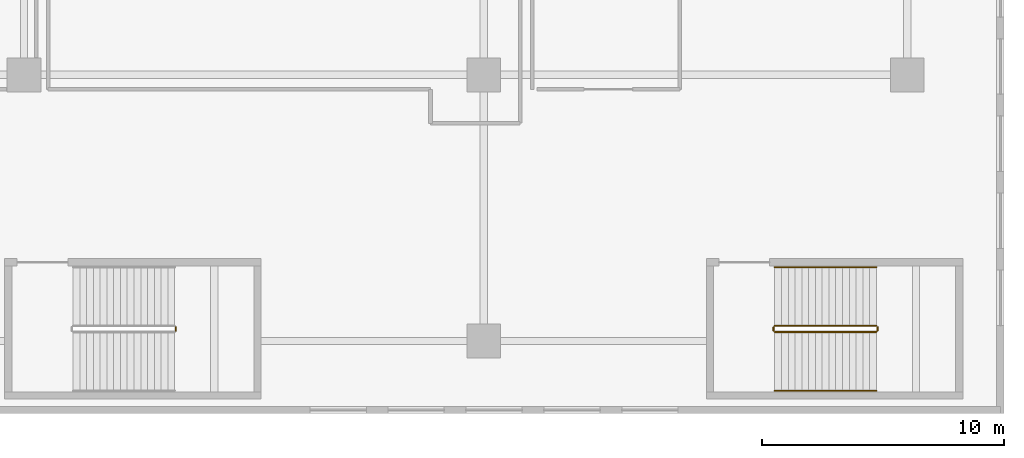
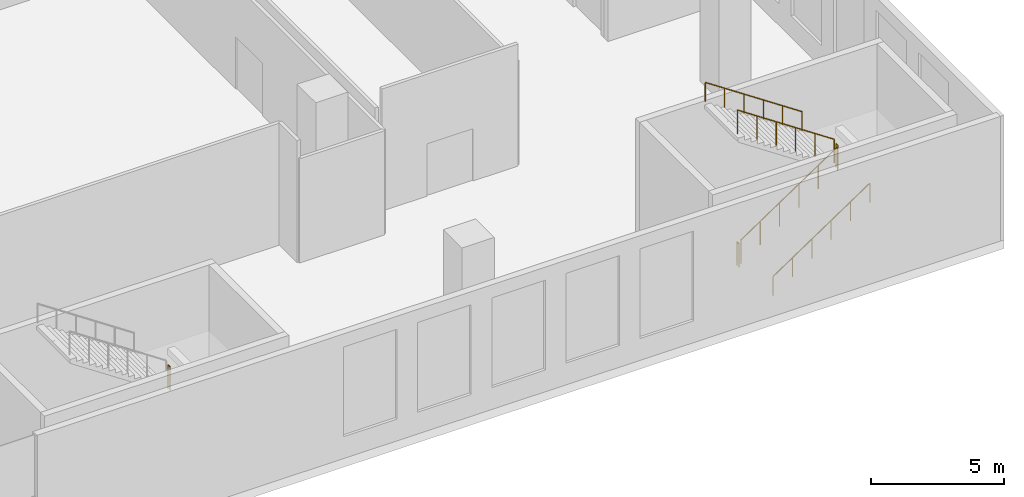
# One storey, part 21 of 25: 7 railings.
"""IFC4 building model written with IfcOpenShell, lengths in metres."""

from ifc_helpers import new_model, si_unit, direction, frame, origin, origin_2d, place, context, subcontext, project, spatial, circle, extrude, material, type_object, element, save


model = new_model("IFC4")

# Units and contexts
model_context = context("Model", 3, precision=1e-05, world=origin(), true_north=direction((0.0, 1.0)))
body_context = subcontext(model_context, "Body", "Model", "MODEL_VIEW")
ifc_project = project(units=[si_unit("LENGTHUNIT", "METRE"), si_unit("AREAUNIT", "SQUARE_METRE"), si_unit("VOLUMEUNIT", "CUBIC_METRE"), si_unit("PLANEANGLEUNIT", "RADIAN"), si_unit("MASSUNIT", "GRAM", prefix="KILO")], contexts=[model_context])

# Site, building, storey
site_placement = place(None, origin())
site = spatial("IfcSite", under=ifc_project, at=site_placement, CompositionType="ELEMENT")
building_placement = place(site_placement, origin())
building = spatial("IfcBuilding", under=site, at=building_placement, Name="Tel Ilan Convention Tower", CompositionType="ELEMENT")
storey_placement = place(building_placement, frame((0.0, 0.0, 26.0)))
storey = spatial("IfcBuildingStorey", under=building, at=storey_placement, Name="L03", CompositionType="ELEMENT", Elevation=26.0)

# Railings
ifc_material_1 = material(Name="Stainless Steel Grade 316", Category="steel")
railing_type_1 = type_object("IfcRailingType", Name="Stainless Steel Stair Guard 1100 mm", PredefinedType="GUARDRAIL", material=ifc_material_1)
railing_1_placement = place(storey_placement, frame((15.77490234375, -78.574951171875, 3.0)))
element("IfcRailing", 1, at=railing_1_placement, inside=storey, type_object=railing_type_1, Name="L03 P3 stair guard 2", PredefinedType="GUARDRAIL", context=body_context, shape_type="SweptSolid", body=[
    extrude(circle(Radius=0.02392578125, at=origin_2d()), frame((0.0, 0.0, 1.076171875), z_axis=(0.0, 1.0, 0.0), x_axis=(-1.0, 0.0, 0.0)), (0.0, 0.0, 1.0), 0.14990234375),
    extrude(circle(Radius=0.02099609375, at=origin_2d()), origin(), (0.0, 0.0, 1.0), 1.052001953125),
    extrude(circle(Radius=0.02099609375, at=origin_2d()), frame((0.0, 0.14990234375, 0.0)), (0.0, 0.0, 1.0), 1.052001953125),
])
railing_2_placement = place(storey_placement, frame((40.52490234375, -78.625, 0.1875)))
element("IfcRailing", 2, at=railing_2_placement, inside=storey, type_object=railing_type_1, Name="L03 P4 stair guard 1", PredefinedType="GUARDRAIL", context=body_context, shape_type="SweptSolid", body=[
    extrude(circle(Radius=0.02392578125, at=origin_2d()), frame((0.0, 0.0, 1.076171875), z_axis=(0.830919138977, 0.0, 0.55639319234), x_axis=(0.0, 1.0, 0.0)), (0.0, 0.0, 1.0), 5.054931640625),
    extrude(circle(Radius=0.02099609375, at=origin_2d()), origin(), (0.0, 0.0, 1.0), 1.052001953125),
    extrude(circle(Radius=0.02099609375, at=origin_2d()), frame((0.840087890625, 0.0, 0.5625)), (0.0, 0.0, 1.0), 1.052001953125),
    extrude(circle(Radius=0.02099609375, at=origin_2d()), frame((1.68017578125, 0.0, 1.125)), (0.0, 0.0, 1.0), 1.052001953125),
    extrude(circle(Radius=0.02099609375, at=origin_2d()), frame((2.52001953125, 0.0, 1.6875)), (0.0, 0.0, 1.0), 1.052001953125),
    extrude(circle(Radius=0.02099609375, at=origin_2d()), frame((3.360107421875, 0.0, 2.25)), (0.0, 0.0, 1.0), 1.052001953125),
    extrude(circle(Radius=0.02099609375, at=origin_2d()), frame((4.2001953125, 0.0, 2.8125)), (0.0, 0.0, 1.0), 1.052001953125),
])
railing_3_placement = place(storey_placement, frame((44.77490234375, -78.574951171875, 3.0)))
element("IfcRailing", 3, at=railing_3_placement, inside=storey, type_object=railing_type_1, Name="L03 P4 stair guard 2", PredefinedType="GUARDRAIL", context=body_context, shape_type="SweptSolid", body=[
    extrude(circle(Radius=0.02392578125, at=origin_2d()), frame((0.0, 0.0, 1.076171875), z_axis=(0.0, 1.0, 0.0), x_axis=(-1.0, 0.0, 0.0)), (0.0, 0.0, 1.0), 0.14990234375),
    extrude(circle(Radius=0.02099609375, at=origin_2d()), origin(), (0.0, 0.0, 1.0), 1.052001953125),
    extrude(circle(Radius=0.02099609375, at=origin_2d()), frame((0.0, 0.14990234375, 0.0)), (0.0, 0.0, 1.0), 1.052001953125),
])
railing_4_placement = place(storey_placement, frame((44.72509765625, -78.375, 3.1875)))
element("IfcRailing", 4, at=railing_4_placement, inside=storey, type_object=railing_type_1, Name="L03 P4 stair guard 3", PredefinedType="GUARDRAIL", context=body_context, shape_type="SweptSolid", body=[
    extrude(circle(Radius=0.02392578125, at=origin_2d()), frame((0.0, 0.0, 1.076171875), z_axis=(-0.830919138977, 0.0, 0.55639319234), x_axis=(0.0, -1.0, 0.0)), (0.0, 0.0, 1.0), 5.054931640625),
    extrude(circle(Radius=0.02099609375, at=origin_2d()), origin(), (0.0, 0.0, 1.0), 1.052001953125),
    extrude(circle(Radius=0.02099609375, at=origin_2d()), frame((-0.840087890625, 0.0, 0.5625)), (0.0, 0.0, 1.0), 1.052001953125),
    extrude(circle(Radius=0.02099609375, at=origin_2d()), frame((-1.68017578125, 0.0, 1.125)), (0.0, 0.0, 1.0), 1.052001953125),
    extrude(circle(Radius=0.02099609375, at=origin_2d()), frame((-2.52001953125, 0.0, 1.6875)), (0.0, 0.0, 1.0), 1.052001953125),
    extrude(circle(Radius=0.02099609375, at=origin_2d()), frame((-3.360107421875, 0.0, 2.25)), (0.0, 0.0, 1.0), 1.052001953125),
    extrude(circle(Radius=0.02099609375, at=origin_2d()), frame((-4.2001953125, 0.0, 2.8125)), (0.0, 0.0, 1.0), 1.052001953125),
])
railing_5_placement = place(storey_placement, frame((40.47509765625, -78.574951171875, 0.0)))
element("IfcRailing", 5, at=railing_5_placement, inside=storey, type_object=railing_type_1, Name="L03 P4 stair guard 4", PredefinedType="GUARDRAIL", context=body_context, shape_type="SweptSolid", body=[
    extrude(circle(Radius=0.02392578125, at=origin_2d()), frame((0.0, 0.0, 1.076171875), z_axis=(0.0, 1.0, 0.0), x_axis=(-1.0, 0.0, 0.0)), (0.0, 0.0, 1.0), 0.14990234375),
    extrude(circle(Radius=0.02099609375, at=origin_2d()), origin(), (0.0, 0.0, 1.0), 1.052001953125),
    extrude(circle(Radius=0.02099609375, at=origin_2d()), frame((0.0, 0.14990234375, 0.0)), (0.0, 0.0, 1.0), 1.052001953125),
])
ifc_material_2 = material(Name="Stainless Steel Grade 316", Category="steel")
railing_type_2 = type_object("IfcRailingType", Name="Stainless Steel Stair Handrail 900 mm", PredefinedType="HANDRAIL", material=ifc_material_2)
railing_6_placement = place(storey_placement, frame((40.52490234375, -81.050048828125, 0.1875)))
element("IfcRailing", 6, at=railing_6_placement, inside=storey, type_object=railing_type_2, Name="L03 P4 stair handrail 1", PredefinedType="HANDRAIL", context=body_context, shape_type="SweptSolid", body=[
    extrude(circle(Radius=0.02392578125, at=origin_2d()), frame((0.0, 0.0, 0.8759765625), z_axis=(0.830919138977, 0.0, 0.55639319234), x_axis=(0.0, 1.0, 0.0)), (0.0, 0.0, 1.0), 5.054931640625),
    extrude(circle(Radius=0.02099609375, at=origin_2d()), origin(), (0.0, 0.0, 1.0), 0.851806640625),
    extrude(circle(Radius=0.02099609375, at=origin_2d()), frame((0.840087890625, 0.0, 0.5625)), (0.0, 0.0, 1.0), 0.851806640625),
    extrude(circle(Radius=0.02099609375, at=origin_2d()), frame((1.68017578125, 0.0, 1.125)), (0.0, 0.0, 1.0), 0.851806640625),
    extrude(circle(Radius=0.02099609375, at=origin_2d()), frame((2.52001953125, 0.0, 1.6875)), (0.0, 0.0, 1.0), 0.851806640625),
    extrude(circle(Radius=0.02099609375, at=origin_2d()), frame((3.360107421875, 0.0, 2.25)), (0.0, 0.0, 1.0), 0.851806640625),
    extrude(circle(Radius=0.02099609375, at=origin_2d()), frame((4.2001953125, 0.0, 2.8125)), (0.0, 0.0, 1.0), 0.851806640625),
])
railing_7_placement = place(storey_placement, frame((44.72509765625, -75.949951171875, 3.1875)))
element("IfcRailing", 7, at=railing_7_placement, inside=storey, type_object=railing_type_2, Name="L03 P4 stair handrail 2", PredefinedType="HANDRAIL", context=body_context, shape_type="SweptSolid", body=[
    extrude(circle(Radius=0.02392578125, at=origin_2d()), frame((0.0, 0.0, 0.8759765625), z_axis=(-0.830919138977, 0.0, 0.55639319234), x_axis=(0.0, -1.0, 0.0)), (0.0, 0.0, 1.0), 5.054931640625),
    extrude(circle(Radius=0.02099609375, at=origin_2d()), origin(), (0.0, 0.0, 1.0), 0.851806640625),
    extrude(circle(Radius=0.02099609375, at=origin_2d()), frame((-0.840087890625, 0.0, 0.5625)), (0.0, 0.0, 1.0), 0.851806640625),
    extrude(circle(Radius=0.02099609375, at=origin_2d()), frame((-1.68017578125, 0.0, 1.125)), (0.0, 0.0, 1.0), 0.851806640625),
    extrude(circle(Radius=0.02099609375, at=origin_2d()), frame((-2.52001953125, 0.0, 1.6875)), (0.0, 0.0, 1.0), 0.851806640625),
    extrude(circle(Radius=0.02099609375, at=origin_2d()), frame((-3.360107421875, 0.0, 2.25)), (0.0, 0.0, 1.0), 0.851806640625),
    extrude(circle(Radius=0.02099609375, at=origin_2d()), frame((-4.2001953125, 0.0, 2.8125)), (0.0, 0.0, 1.0), 0.851806640625),
])

save(model, "model.ifc")
